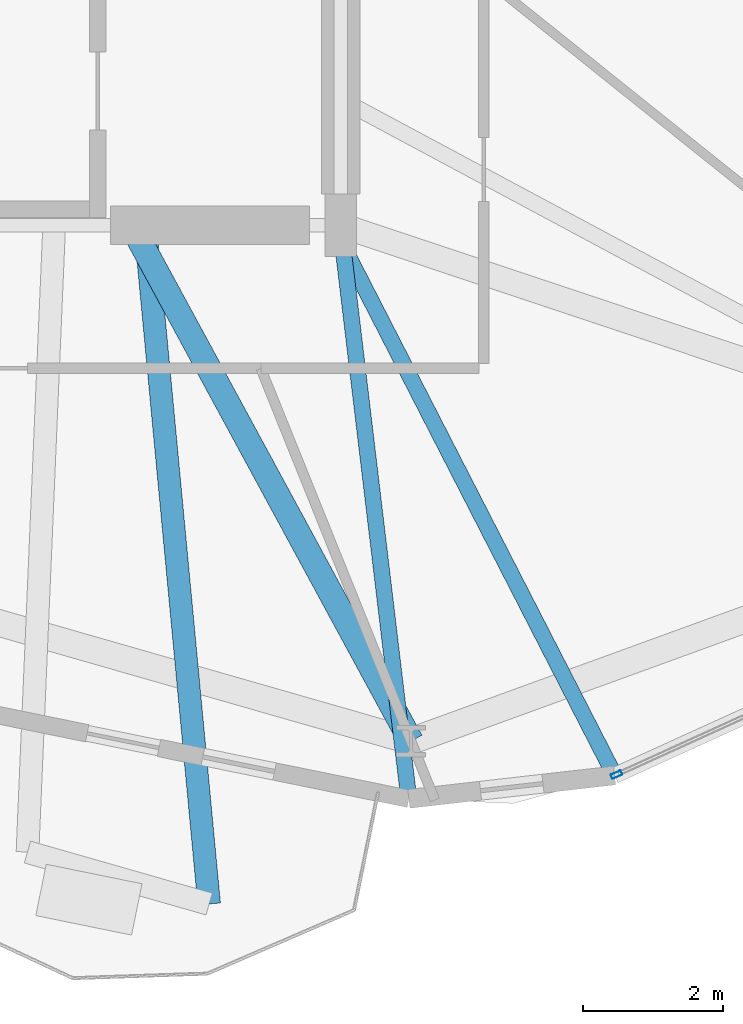
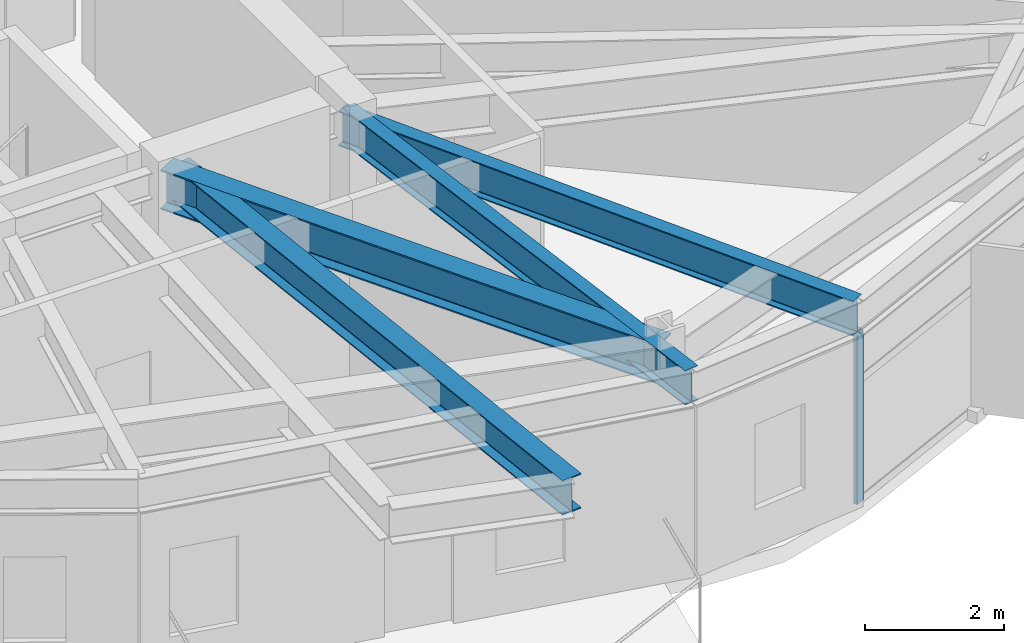
# One storey, part 5 of 23: 4 beams, 1 member, 1 element without a shape of its own.
"""IFC4 building model written with IfcOpenShell, lengths in metres."""

from ifc_helpers import new_model, si_unit, direction, frame, origin, origin_2d, place, context, subcontext, project, spatial, hollow_rectangle, i_section, extrude, material, layer, layer_set, material_profile, profile_set, type_object, element, aggregate, save


model = new_model("IFC4")

# Units and contexts
model_context = context("Model", 3, precision=1e-05, world=origin(), true_north=direction((0.0, 1.0)))
body_context = subcontext(model_context, "Body", "Model", "MODEL_VIEW")
ifc_project = project(units=[si_unit("LENGTHUNIT", "METRE"), si_unit("AREAUNIT", "SQUARE_METRE"), si_unit("VOLUMEUNIT", "CUBIC_METRE"), si_unit("PLANEANGLEUNIT", "RADIAN"), si_unit("MASSUNIT", "GRAM", prefix="KILO")], contexts=[model_context])

# Site, building, storey
site_placement = place(None, origin())
site = spatial("IfcSite", under=ifc_project, at=site_placement, CompositionType="ELEMENT")
building_placement = place(site_placement, origin())
building = spatial("IfcBuilding", under=site, at=building_placement, Name="Soratama Intermodal Tower", CompositionType="ELEMENT")
storey_placement = place(building_placement, frame((0.0, 0.0, 122.5)))
storey = spatial("IfcBuildingStorey", under=building, at=storey_placement, Name="L29", CompositionType="ELEMENT", Elevation=122.5)

# Beams
ifc_material_1 = material(Name="Structural steel ASTM A992 Grade 50", Category="steel")
ifc_material_profile_1 = material_profile(ifc_material_1, i_section(OverallWidth=0.324951171875, OverallDepth=0.615966796875, WebThickness=0.013916015625, FlangeThickness=0.021484375, FilletRadius=0.013916015625, at=origin_2d()), Name="W24X117")
ifc_profile_set_1 = profile_set([ifc_material_profile_1], Name="Structural steel ASTM A992 Grade 50")
beam_type_1 = type_object("IfcBeamType", Name="BM-CANT-W24X117", PredefinedType="BEAM", material=ifc_profile_set_1)
beam_1_placement = place(storey_placement, frame((41.801025390625, 14.9599609375, 3.2919921875), z_axis=(0.093982214098, -0.995573876432, 0.0), x_axis=(0.995573876432, 0.093982214098, 0.0)))
element("IfcBeam", 1, at=beam_1_placement, inside=storey, type_object=beam_type_1, Name="BM-L29-CANT-3-2", PredefinedType="BEAM", context=body_context, shape_type="SweptSolid", body=[
    extrude(i_section(OverallWidth=0.324951171875, OverallDepth=0.615966796875, WebThickness=0.013916015625, FlangeThickness=0.021484375, FilletRadius=0.013916015625, at=origin_2d()), origin(), (0.0, 0.0, 1.0), 9.725830078125),
])
ifc_material_2 = material(Name="Structural steel ASTM A992 Grade 50", Category="steel")
ifc_material_profile_2 = material_profile(ifc_material_2, i_section(OverallWidth=0.35498046875, OverallDepth=0.695068359375, WebThickness=0.015380859375, FlangeThickness=0.02490234375, FilletRadius=0.01611328125, at=origin_2d()), Name="W27X146")
ifc_profile_set_2 = profile_set([ifc_material_profile_2], Name="Structural steel ASTM A992 Grade 50")
beam_type_2 = type_object("IfcBeamType", Name="BM-RING-W27X146", PredefinedType="BEAM", material=ifc_profile_set_2)
beam_2_placement = place(storey_placement, frame((41.60009765625, 15.0, 3.25244140625), z_axis=(0.476697610532, -0.879067339919, 0.0), x_axis=(0.879067339919, 0.476697610532, 0.0)))
element("IfcBeam", 2, at=beam_2_placement, inside=storey, type_object=beam_type_2, Name="BM-L29-RAD-08", PredefinedType="BEAM", context=body_context, shape_type="SweptSolid", body=[
    extrude(i_section(OverallWidth=0.35498046875, OverallDepth=0.695068359375, WebThickness=0.015380859375, FlangeThickness=0.02490234375, FilletRadius=0.01611328125, at=origin_2d()), origin(), (0.0, 0.0, 1.0), 8.405517578125),
])
ifc_material_3 = material(Name="Structural steel ASTM A992 Grade 50", Category="steel")
ifc_material_profile_3 = material_profile(ifc_material_3, i_section(OverallWidth=0.22900390625, OverallDepth=0.612060546875, WebThickness=0.011962890625, FlangeThickness=0.01953125, FilletRadius=0.012939453125, at=origin_2d()), Name="W24X84")
ifc_profile_set_3 = profile_set([ifc_material_profile_3], Name="Structural steel ASTM A992 Grade 50")
beam_type_3 = type_object("IfcBeamType", Name="BM-TIE-W24X84", PredefinedType="BEAM", material=ifc_profile_set_3)
beam_3_placement = place(storey_placement, frame((44.59912109375, 14.9599609375, 3.2939453125), z_axis=(0.11862843925, -0.992938715833, 0.0), x_axis=(0.992938715833, 0.11862843925, 0.0)))
element("IfcBeam", 3, at=beam_3_placement, inside=storey, type_object=beam_type_3, Name="BM-L29-TIE1-07", PredefinedType="BEAM", context=body_context, shape_type="SweptSolid", body=[
    extrude(i_section(OverallWidth=0.22900390625, OverallDepth=0.612060546875, WebThickness=0.011962890625, FlangeThickness=0.01953125, FilletRadius=0.012939453125, at=origin_2d()), origin(), (0.0, 0.0, 1.0), 8.234130859375),
])
beam_4_placement = place(storey_placement, frame((44.5, 14.964111328125, 3.2939453125), z_axis=(0.456338007284, -0.889806508803, 0.0), x_axis=(0.889806508803, 0.456338007284, 0.0)))
element("IfcBeam", 4, at=beam_4_placement, inside=storey, type_object=beam_type_3, Name="BM-L29-TIE0-08", PredefinedType="BEAM", context=body_context, shape_type="SweptSolid", body=[
    extrude(i_section(OverallWidth=0.22900390625, OverallDepth=0.612060546875, WebThickness=0.011962890625, FlangeThickness=0.01953125, FilletRadius=0.012939453125, at=origin_2d()), origin(), (0.0, 0.0, 1.0), 8.81787109375),
])

# Curtain wall, member
ifc_material_4 = material(Name="Double-glazed aluminium curtain wall", Category="aluminium")
ifc_layer = layer(ifc_material_4, 0.159912109375)
ifc_layer_set = layer_set([ifc_layer], Name="Double-glazed aluminium curtain wall")
curtain_wall_type = type_object("IfcCurtainWallType", Name="CW-SYS-3", PredefinedType="NOTDEFINED", material=ifc_layer_set)
curtain_wall_placement = place(storey_placement, origin())
curtain_wall = element("IfcCurtainWall", 5, at=curtain_wall_placement, inside=storey, type_object=curtain_wall_type, Name="L29 Faceted Curtain Wall F08", PredefinedType="NOTDEFINED")
ifc_material_5 = material(Name="Anodised aluminium AA 6063-T6", Category="aluminium")
ifc_material_profile_4 = material_profile(ifc_material_5, hollow_rectangle(XDim=0.070068359375, YDim=0.159912109375, WallThickness=0.0048828125, InnerFilletRadius=0.0048828125, OuterFilletRadius=0.010009765625, at=origin_2d()), Name="CWM160X70X5")
ifc_profile_set_4 = profile_set([ifc_material_profile_4], Name="Anodised aluminium AA 6063-T6")
member_type = type_object("IfcMemberType", Name="MT-CWM-3", PredefinedType="MULLION", material=ifc_profile_set_4)
member_placement = place(storey_placement, frame((48.55126953125, 7.130615234375, 0.0), z_axis=(0.0, 0.0, 1.0), x_axis=(-0.414381018039, 0.910103495153, 0.0)))
member = element("IfcMember", 6, at=member_placement, type_object=member_type, Name="CW-3 mullion 1", PredefinedType="MULLION", context=body_context, shape_type="SweptSolid", body=[
    extrude(hollow_rectangle(XDim=0.070068359375, YDim=0.159912109375, WallThickness=0.0048828125, InnerFilletRadius=0.0048828125, OuterFilletRadius=0.010009765625, at=origin_2d()), origin(), (0.0, 0.0, 1.0), 2.97900390625),
])
aggregate(curtain_wall, [member])

save(model, "model.ifc")
